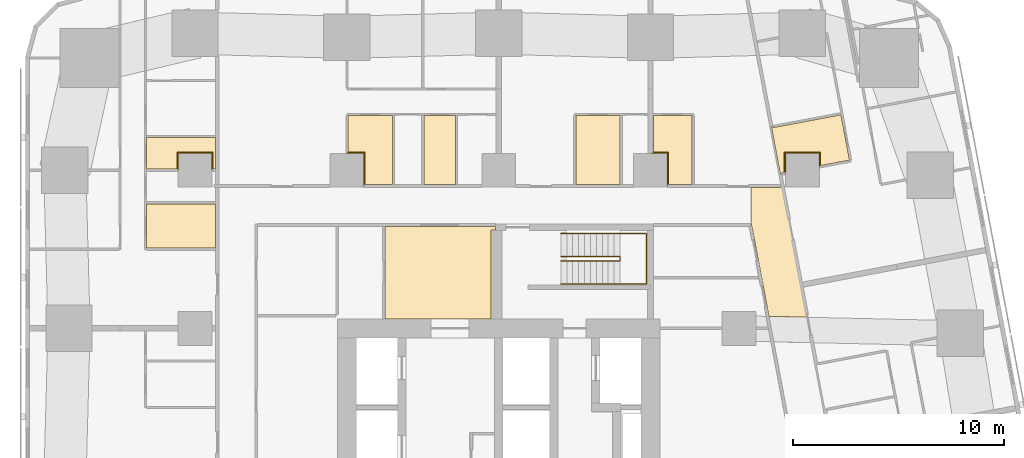
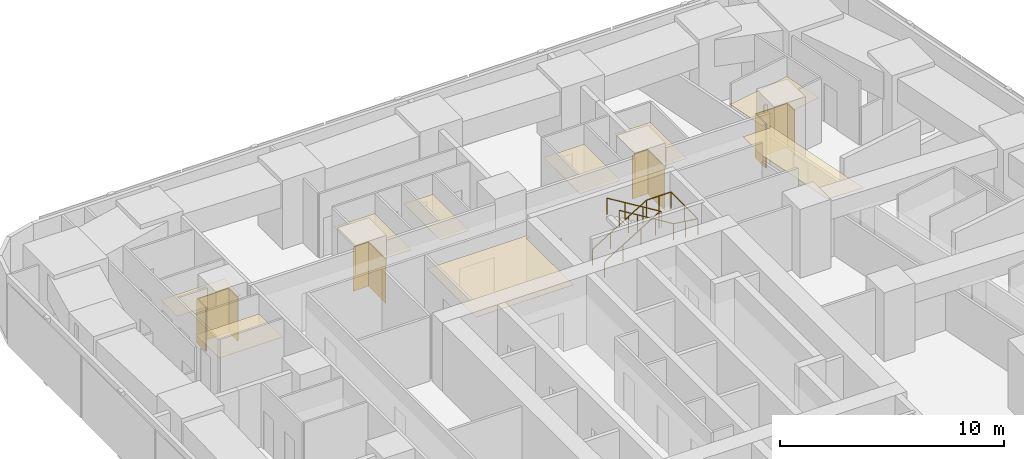
# One storey, part 14 of 14: 13 coverings, 2 railings.
"""IFC4 building model written with IfcOpenShell, lengths in metres."""

from ifc_helpers import new_model, si_unit, direction, frame, origin, origin_2d, place, context, subcontext, project, spatial, polyline, circle, outline, extrude, material, layer, layer_set, type_object, element, save


model = new_model("IFC4")

# Units and contexts
model_context = context("Model", 3, precision=1e-05, world=origin(), true_north=direction((0.0, 1.0)))
body_context = subcontext(model_context, "Body", "Model", "MODEL_VIEW")
ifc_project = project(units=[si_unit("LENGTHUNIT", "METRE"), si_unit("AREAUNIT", "SQUARE_METRE"), si_unit("VOLUMEUNIT", "CUBIC_METRE"), si_unit("PLANEANGLEUNIT", "RADIAN"), si_unit("MASSUNIT", "GRAM", prefix="KILO")], contexts=[model_context])

# Site, building, storey
site_placement = place(None, origin())
site = spatial("IfcSite", under=ifc_project, at=site_placement, CompositionType="ELEMENT")
building_placement = place(site_placement, origin())
building = spatial("IfcBuilding", under=site, at=building_placement, Name="Sheger Commons Tower", CompositionType="ELEMENT")
storey_placement = place(building_placement, frame((0.0, 0.0, 122.89990234375)))
storey = spatial("IfcBuildingStorey", under=building, at=storey_placement, Name="L31", CompositionType="ELEMENT", Elevation=122.89990234375)

# Railings
ifc_material_1 = material(Name="Steel handrail, black powder-coated", Category="steel")
railing_type = type_object("IfcRailingType", Name="HANDRAIL 900", PredefinedType="HANDRAIL", material=ifc_material_1)
railing_1_placement = place(storey_placement, frame((24.550048828125, 33.39990234375, 0.170654296875)))
element("IfcRailing", 1, at=railing_1_placement, inside=storey, type_object=railing_type, Name="Stair S2 handrail L31", PredefinedType="HANDRAIL", context=body_context, shape_type="SweptSolid", body=[
    extrude(circle(Radius=0.02392578125, at=origin_2d()), frame((0.0, 0.0, 0.8759765625), z_axis=(0.854202870247, 0.0, 0.519939858505), x_axis=(0.0, 1.0, 0.0)), (0.0, 0.0, 1.0), 3.278076171875),
    extrude(circle(Radius=0.02392578125, at=origin_2d()), frame((2.800048828125, 0.0, 2.580078125), z_axis=(0.0, -0.760631612298, 0.649183757016), x_axis=(1.0, 0.0, 0.0)), (0.0, 0.0, 1.0), 0.262939453125),
    extrude(circle(Radius=0.02392578125, at=origin_2d()), frame((2.800048828125, -0.199951171875, 2.7509765625), z_axis=(-0.854202870247, 0.0, 0.519939858505), x_axis=(0.0, -1.0, 0.0)), (0.0, 0.0, 1.0), 3.278076171875),
    extrude(circle(Radius=0.02099609375, at=origin_2d()), origin(), (0.0, 0.0, 1.0), 0.851806640625),
    extrude(circle(Radius=0.02099609375, at=origin_2d()), frame((0.933349609375, 0.0, 0.568115234375)), (0.0, 0.0, 1.0), 0.851806640625),
    extrude(circle(Radius=0.02099609375, at=origin_2d()), frame((1.86669921875, 0.0, 1.13623046875)), (0.0, 0.0, 1.0), 0.851806640625),
    extrude(circle(Radius=0.02099609375, at=origin_2d()), frame((2.800048828125, 0.0, 1.704345703125)), (0.0, 0.0, 1.0), 0.851806640625),
    extrude(circle(Radius=0.02099609375, at=origin_2d()), frame((2.800048828125, -0.199951171875, 1.875)), (0.0, 0.0, 1.0), 0.851806640625),
    extrude(circle(Radius=0.02099609375, at=origin_2d()), frame((1.86669921875, -0.199951171875, 2.443115234375)), (0.0, 0.0, 1.0), 0.851806640625),
    extrude(circle(Radius=0.02099609375, at=origin_2d()), frame((0.933349609375, -0.199951171875, 3.01123046875)), (0.0, 0.0, 1.0), 0.851806640625),
    extrude(circle(Radius=0.02099609375, at=origin_2d()), frame((0.0, -0.199951171875, 3.579345703125)), (0.0, 0.0, 1.0), 0.851806640625),
])
railing_2_placement = place(storey_placement, frame((24.550048828125, 34.5, 0.170654296875)))
element("IfcRailing", 2, at=railing_2_placement, inside=storey, type_object=railing_type, Name="Stair S2 handrail L31", PredefinedType="HANDRAIL", context=body_context, shape_type="SweptSolid", body=[
    extrude(circle(Radius=0.02392578125, at=origin_2d()), frame((0.0, 0.0, 0.8759765625), z_axis=(0.854202870247, 0.0, 0.519939858505), x_axis=(0.0, 1.0, 0.0)), (0.0, 0.0, 1.0), 3.278076171875),
    extrude(circle(Radius=0.02392578125, at=origin_2d()), frame((2.800048828125, 0.0, 2.580078125), z_axis=(1.0, 0.0, 0.0), x_axis=(0.0, 1.0, 0.0)), (0.0, 0.0, 1.0), 1.25),
    extrude(circle(Radius=0.02392578125, at=origin_2d()), frame((4.050048828125, 0.0, 2.580078125), z_axis=(0.0, -1.0, 0.0), x_axis=(1.0, 0.0, 0.0)), (0.0, 0.0, 1.0), 2.39990234375),
    extrude(circle(Radius=0.02392578125, at=origin_2d()), frame((4.050048828125, -2.39990234375, 2.580078125), z_axis=(-0.990808959222, 0.0, 0.135268645019), x_axis=(0.0, -1.0, 0.0)), (0.0, 0.0, 1.0), 1.261474609375),
    extrude(circle(Radius=0.02392578125, at=origin_2d()), frame((2.800048828125, -2.39990234375, 2.7509765625), z_axis=(-0.854202870247, 0.0, 0.519939858505), x_axis=(0.0, -1.0, 0.0)), (0.0, 0.0, 1.0), 3.278076171875),
    extrude(circle(Radius=0.02099609375, at=origin_2d()), origin(), (0.0, 0.0, 1.0), 0.851806640625),
    extrude(circle(Radius=0.02099609375, at=origin_2d()), frame((0.933349609375, 0.0, 0.568115234375)), (0.0, 0.0, 1.0), 0.851806640625),
    extrude(circle(Radius=0.02099609375, at=origin_2d()), frame((1.86669921875, 0.0, 1.13623046875)), (0.0, 0.0, 1.0), 0.851806640625),
    extrude(circle(Radius=0.02099609375, at=origin_2d()), frame((2.800048828125, 0.0, 1.704345703125)), (0.0, 0.0, 1.0), 0.851806640625),
    extrude(circle(Radius=0.02099609375, at=origin_2d()), frame((3.425048828125, 0.0, 1.704345703125)), (0.0, 0.0, 1.0), 0.851806640625),
    extrude(circle(Radius=0.02099609375, at=origin_2d()), frame((4.050048828125, 0.0, 1.704345703125)), (0.0, 0.0, 1.0), 0.851806640625),
    extrude(circle(Radius=0.02099609375, at=origin_2d()), frame((4.050048828125, -1.199951171875, 1.704345703125)), (0.0, 0.0, 1.0), 0.851806640625),
    extrude(circle(Radius=0.02099609375, at=origin_2d()), frame((4.050048828125, -2.39990234375, 1.704345703125)), (0.0, 0.0, 1.0), 0.851806640625),
    extrude(circle(Radius=0.02099609375, at=origin_2d()), frame((3.425048828125, -2.39990234375, 1.78955078125)), (0.0, 0.0, 1.0), 0.851806640625),
    extrude(circle(Radius=0.02099609375, at=origin_2d()), frame((2.800048828125, -2.39990234375, 1.875)), (0.0, 0.0, 1.0), 0.851806640625),
    extrude(circle(Radius=0.02099609375, at=origin_2d()), frame((1.86669921875, -2.39990234375, 2.443115234375)), (0.0, 0.0, 1.0), 0.851806640625),
    extrude(circle(Radius=0.02099609375, at=origin_2d()), frame((0.933349609375, -2.39990234375, 3.01123046875)), (0.0, 0.0, 1.0), 0.851806640625),
    extrude(circle(Radius=0.02099609375, at=origin_2d()), frame((0.0, -2.39990234375, 3.579345703125)), (0.0, 0.0, 1.0), 0.851806640625),
])

# Coverings
ifc_material_2 = material(Name="Moisture-resistant gypsum plasterboard 15 mm on a suspended galvanised steel grid", Category="steel")
ifc_layer_1 = layer(ifc_material_2, 0.014892578125)
ifc_layer_set_1 = layer_set([ifc_layer_1], Name="MOISTURE-RESISTANT CEILING 15")
covering_type_1 = type_object("IfcCoveringType", Name="MOISTURE-RESISTANT CEILING 15", PredefinedType="CEILING", material=ifc_layer_set_1)
covering_1_placement = place(storey_placement, frame((0.0, 0.0, 2.400146484375)))
element("IfcCovering", 3, at=covering_1_placement, inside=storey, type_object=covering_type_1, Name="L31-04.B1 ceiling", PredefinedType="CEILING", context=body_context, shape_type="SweptSolid", body=[
    extrude(outline(polyline([(4.905029296875, 33.804931640625), (8.169921875, 33.804931640625), (8.169921875, 35.905029296875), (4.905029296875, 35.905029296875), (4.905029296875, 33.804931640625)])), origin(), (0.0, 0.0, 1.0), 0.014892578125),
])
covering_2_placement = place(storey_placement, frame((0.0, 0.0, 2.400146484375)))
element("IfcCovering", 4, at=covering_2_placement, inside=storey, type_object=covering_type_1, Name="L31-04.B2 ceiling", PredefinedType="CEILING", context=body_context, shape_type="SweptSolid", body=[
    extrude(outline(polyline([(4.905029296875, 37.554931640625), (6.39501953125, 37.554931640625), (6.39501953125, 38.304931640625), (8.0048828125, 38.304931640625), (8.0048828125, 37.554931640625), (8.169921875, 37.554931640625), (8.169921875, 39.044921875), (4.905029296875, 39.044921875), (4.905029296875, 37.554931640625)])), origin(), (0.0, 0.0, 1.0), 0.014892578125),
])
covering_3_placement = place(storey_placement, frame((0.0, 0.0, 2.400146484375)))
element("IfcCovering", 5, at=covering_3_placement, inside=storey, type_object=covering_type_1, Name="L31-09.B1 ceiling", PredefinedType="CEILING", context=body_context, shape_type="SweptSolid", body=[
    extrude(outline(polyline([(34.9580078125, 37.302978515625), (35.027099609375, 37.31591796875), (35.01708984375, 37.3701171875), (35.18505859375, 37.402099609375), (35.193115234375, 37.35888671875), (35.195068359375, 37.35888671875), (35.195068359375, 38.304931640625), (36.804931640625, 38.304931640625), (36.804931640625, 37.7080078125), (38.23388671875, 37.97900390625), (37.827880859375, 40.126953125), (34.611083984375, 39.52001953125), (34.60107421875, 39.573974609375), (34.531982421875, 39.56103515625), (34.9580078125, 37.302978515625)])), origin(), (0.0, 0.0, 1.0), 0.014892578125),
])
covering_4_placement = place(storey_placement, frame((0.0, 0.0, 2.400146484375)))
element("IfcCovering", 6, at=covering_4_placement, inside=storey, type_object=covering_type_1, Name="L31-13.B1 ceiling", PredefinedType="CEILING", context=body_context, shape_type="SweptSolid", body=[
    extrude(outline(polyline([(15.205078125, 36.830078125), (16.554931640625, 36.830078125), (16.554931640625, 40.094970703125), (14.455078125, 40.094970703125), (14.455078125, 38.304931640625), (15.205078125, 38.304931640625), (15.205078125, 36.830078125)])), origin(), (0.0, 0.0, 1.0), 0.014892578125),
])
covering_5_placement = place(storey_placement, frame((0.0, 0.0, 2.400146484375)))
element("IfcCovering", 7, at=covering_5_placement, inside=storey, type_object=covering_type_1, Name="L31-13.B2 ceiling", PredefinedType="CEILING", context=body_context, shape_type="SweptSolid", body=[
    extrude(outline(polyline([(18.054931640625, 36.830078125), (19.544921875, 36.830078125), (19.544921875, 40.094970703125), (18.054931640625, 40.094970703125), (18.054931640625, 36.830078125)])), origin(), (0.0, 0.0, 1.0), 0.014892578125),
])
covering_6_placement = place(storey_placement, frame((0.0, 0.0, 2.400146484375)))
element("IfcCovering", 8, at=covering_6_placement, inside=storey, type_object=covering_type_1, Name="L31-14.B1 ceiling", PredefinedType="CEILING", context=body_context, shape_type="SweptSolid", body=[
    extrude(outline(polyline([(25.2548828125, 36.830078125), (27.35498046875, 36.830078125), (27.35498046875, 40.094970703125), (25.2548828125, 40.094970703125), (25.2548828125, 36.830078125)])), origin(), (0.0, 0.0, 1.0), 0.014892578125),
])
covering_7_placement = place(storey_placement, frame((0.0, 0.0, 2.400146484375)))
element("IfcCovering", 9, at=covering_7_placement, inside=storey, type_object=covering_type_1, Name="L31-15.B1 ceiling", PredefinedType="CEILING", context=body_context, shape_type="SweptSolid", body=[
    extrude(outline(polyline([(29.60498046875, 36.830078125), (30.77392578125, 36.830078125), (30.77392578125, 40.094970703125), (28.929931640625, 40.094970703125), (28.929931640625, 38.304931640625), (29.60498046875, 38.304931640625), (29.60498046875, 36.830078125)])), origin(), (0.0, 0.0, 1.0), 0.014892578125),
])
ifc_material_3 = material(Name="Gypsum plasterboard 15 mm on a suspended steel grid", Category="steel")
ifc_layer_2 = layer(ifc_material_3, 0.014892578125)
ifc_layer_set_2 = layer_set([ifc_layer_2], Name="SUSPENDED CEILING 15")
covering_type_2 = type_object("IfcCoveringType", Name="SUSPENDED CEILING 15", PredefinedType="CEILING", material=ifc_layer_set_2)
covering_8_placement = place(storey_placement, frame((0.0, 0.0, 2.7001953125)))
element("IfcCovering", 10, at=covering_8_placement, inside=storey, type_object=covering_type_2, Name="L31-CO ceiling", PredefinedType="CEILING", context=body_context, shape_type="SweptSolid", body=[
    extrude(outline(polyline([(36.237060546875, 30.531982421875), (35.06201171875, 36.75), (34.97802734375, 36.75), (34.97802734375, 36.669921875), (33.572998046875, 36.669921875), (33.572998046875, 34.947998046875), (33.571044921875, 34.947998046875), (33.589111328125, 34.85205078125), (33.60595703125, 34.85498046875), (34.4150390625, 30.572998046875), (36.237060546875, 30.531982421875)])), origin(), (0.0, 0.0, 1.0), 0.014892578125),
])
covering_9_placement = place(storey_placement, frame((0.0, 0.0, 2.7001953125)))
element("IfcCovering", 11, at=covering_9_placement, inside=storey, type_object=covering_type_2, Name="L31-SVN1 ceiling", PredefinedType="CEILING", context=body_context, shape_type="SweptSolid", body=[
    extrude(outline(polyline([(16.217041015625, 30.455078125), (21.2451171875, 30.455078125), (21.2451171875, 34.655029296875), (21.445068359375, 34.655029296875), (21.445068359375, 34.83203125), (16.217041015625, 34.83203125), (16.217041015625, 30.455078125)])), origin(), (0.0, 0.0, 1.0), 0.014892578125),
])
ifc_material_4 = material(Name="Moisture-resistant gypsum board 12.5 mm on 25 mm treated timber battens, tanked and tiled", Category="wood")
ifc_layer_3 = layer(ifc_material_4, 0.050048828125)
ifc_layer_set_3 = layer_set([ifc_layer_3], Name="WET-ROOM COLUMN LINING")
covering_type_3 = type_object("IfcCoveringType", Name="WET-ROOM COLUMN LINING", PredefinedType="CLADDING", material=ifc_layer_set_3)
covering_10_placement = place(storey_placement, origin())
element("IfcCovering", 12, at=covering_10_placement, inside=storey, type_object=covering_type_3, Name="Shower room column lining C9 L31", PredefinedType="CLADDING", context=body_context, shape_type="SweptSolid", body=[
    extrude(outline(polyline([(8.050048828125, 38.35009765625), (8.050048828125, 37.550048828125), (8.0009765625, 37.550048828125), (8.0009765625, 37.5), (8.0, 37.5), (8.0, 38.300048828125), (6.39990234375, 38.300048828125), (6.39990234375, 37.5), (6.39892578125, 37.5), (6.39892578125, 37.550048828125), (6.35009765625, 37.550048828125), (6.35009765625, 38.35009765625), (8.050048828125, 38.35009765625)])), origin(), (0.0, 0.0, 1.0), 2.400146484375),
])
covering_11_placement = place(storey_placement, origin())
element("IfcCovering", 13, at=covering_11_placement, inside=storey, type_object=covering_type_3, Name="Bathroom column lining C9 L31", PredefinedType="CLADDING", context=body_context, shape_type="SweptSolid", body=[
    extrude(outline(polyline([(15.25, 36.824951171875), (15.200927734375, 36.824951171875), (15.200927734375, 36.75), (15.199951171875, 36.75), (15.199951171875, 38.300048828125), (14.39990234375, 38.300048828125), (14.39990234375, 38.301025390625), (14.449951171875, 38.301025390625), (14.449951171875, 38.35009765625), (15.25, 38.35009765625), (15.25, 36.824951171875)])), origin(), (0.0, 0.0, 1.0), 2.400146484375),
])
covering_12_placement = place(storey_placement, origin())
element("IfcCovering", 14, at=covering_12_placement, inside=storey, type_object=covering_type_3, Name="Shower room column lining C9 L31", PredefinedType="CLADDING", context=body_context, shape_type="SweptSolid", body=[
    extrude(outline(polyline([(29.64990234375, 36.824951171875), (29.60107421875, 36.824951171875), (29.60107421875, 36.75), (29.60009765625, 36.75), (29.60009765625, 38.300048828125), (28.800048828125, 38.300048828125), (28.800048828125, 38.301025390625), (28.925048828125, 38.301025390625), (28.925048828125, 38.35009765625), (29.64990234375, 38.35009765625), (29.64990234375, 36.824951171875)])), origin(), (0.0, 0.0, 1.0), 2.400146484375),
])
covering_13_placement = place(storey_placement, origin())
element("IfcCovering", 15, at=covering_13_placement, inside=storey, type_object=covering_type_3, Name="Bathroom column lining C9 L31", PredefinedType="CLADDING", context=body_context, shape_type="SweptSolid", body=[
    extrude(outline(polyline([(36.85009765625, 38.35009765625), (36.85009765625, 37.7109375), (36.801025390625, 37.701904296875), (36.81005859375, 37.653076171875), (36.800048828125, 37.65087890625), (36.800048828125, 38.300048828125), (35.199951171875, 38.300048828125), (35.199951171875, 37.34912109375), (35.18994140625, 37.346923828125), (35.180908203125, 37.39599609375), (35.14990234375, 37.389892578125), (35.14990234375, 38.35009765625), (36.85009765625, 38.35009765625)])), origin(), (0.0, 0.0, 1.0), 2.400146484375),
])

save(model, "model.ifc")
